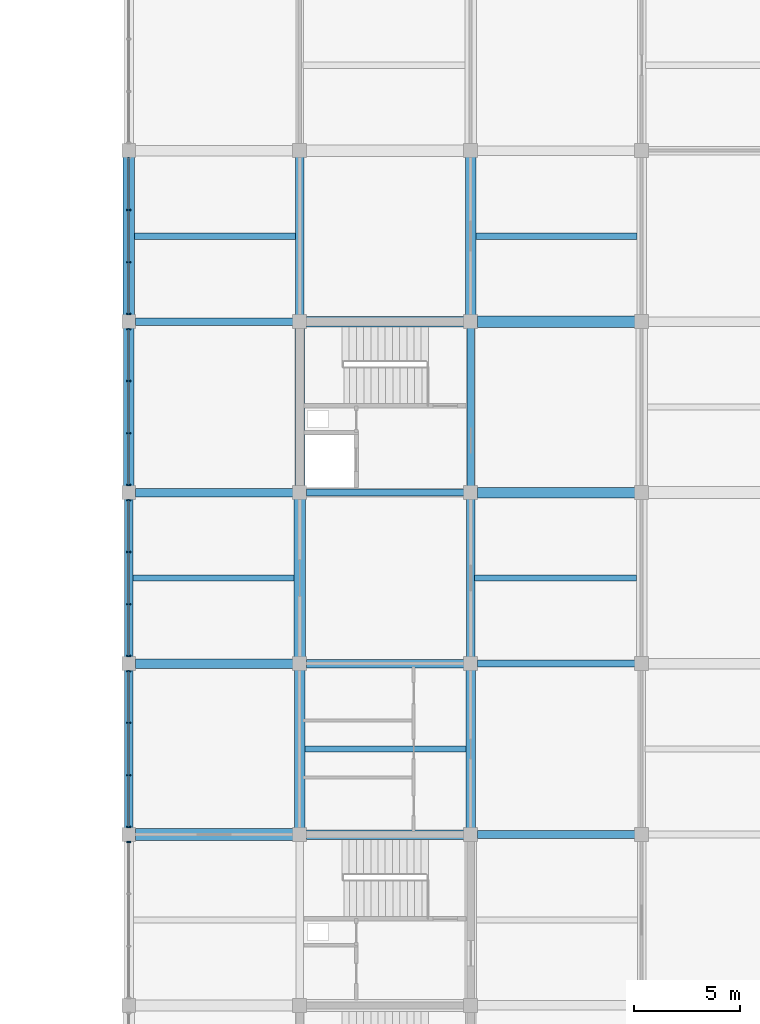
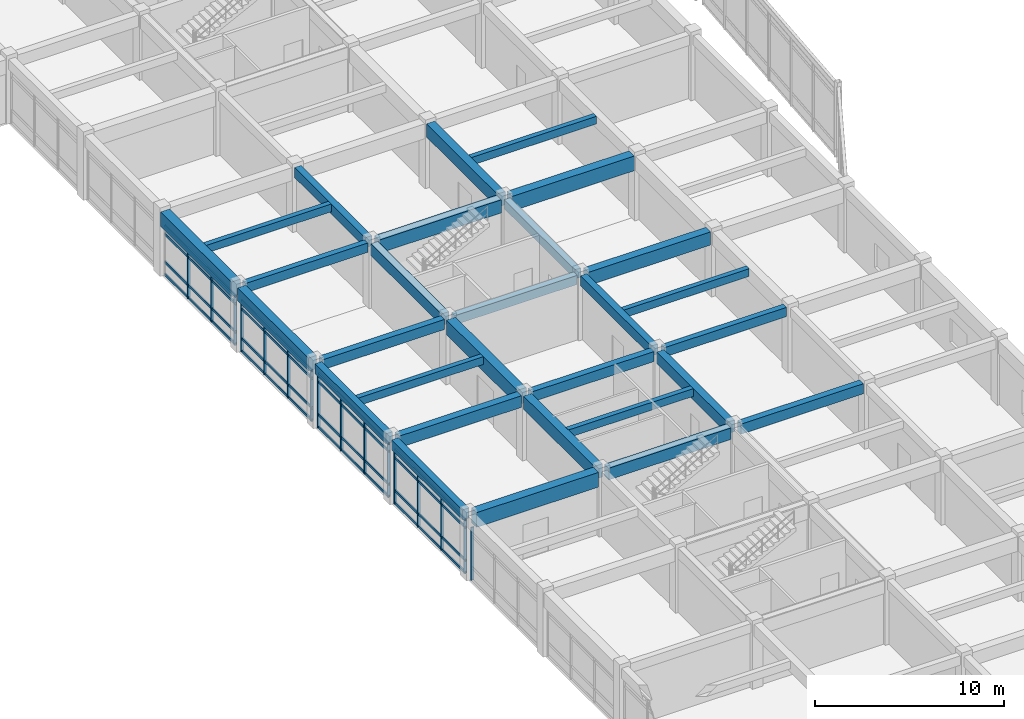
# One storey, part 15 of 40: 32 members, 29 beams, 5 elements without a shape of their own.
"""IFC4 building model written with IfcOpenShell, lengths in metres."""

from ifc_helpers import new_model, si_unit, direction, frame, origin, origin_2d, place, context, subcontext, project, spatial, rectangle, extrude, material, layer, layer_set, material_profile, profile_set, type_object, element, aggregate, save


model = new_model("IFC4")

# Units and contexts
model_context = context("Model", 3, precision=1e-05, world=origin(), true_north=direction((0.0, 1.0)))
body_context = subcontext(model_context, "Body", "Model", "MODEL_VIEW")
ifc_project = project(units=[si_unit("LENGTHUNIT", "METRE"), si_unit("AREAUNIT", "SQUARE_METRE"), si_unit("VOLUMEUNIT", "CUBIC_METRE"), si_unit("PLANEANGLEUNIT", "RADIAN"), si_unit("MASSUNIT", "GRAM", prefix="KILO")], contexts=[model_context])

# Site, building, storey
site_placement = place(None, origin())
site = spatial("IfcSite", under=ifc_project, at=site_placement, CompositionType="ELEMENT")
building_placement = place(site_placement, origin())
building = spatial("IfcBuilding", under=site, at=building_placement, Name="Vaudrelin Polytechnic", CompositionType="ELEMENT")
storey_placement = place(building_placement, frame((0.0, 0.0, 22.949951171875)))
storey = spatial("IfcBuildingStorey", under=building, at=storey_placement, Name="L05", CompositionType="ELEMENT", Elevation=22.949951171875)

# Beams
ifc_material_1 = material(Name="Concrete 40 MPa", Category="concrete")
ifc_material_profile_1 = material_profile(ifc_material_1, rectangle(XDim=0.35009765625, YDim=0.60009765625, at=origin_2d()), Name="RC350x600")
ifc_profile_set_1 = profile_set([ifc_material_profile_1], Name="Concrete 40 MPa")
beam_type_1 = type_object("IfcBeamType", Name="BM-BM-RC3560", PredefinedType="BEAM", material=ifc_profile_set_1)
beam_1_placement = place(storey_placement, frame((153.89990234375, 65.110107421875, 3.860107421875), z_axis=(0.0, 1.0, 0.0), x_axis=(-1.0, 0.0, 0.0)))
element("IfcBeam", 1, at=beam_1_placement, inside=storey, type_object=beam_type_1, Name="L05 Y-beam 20-9", PredefinedType="BEAM", context=body_context, shape_type="SweptSolid", body=[
    extrude(rectangle(XDim=0.35009765625, YDim=0.60009765625, at=origin_2d()), origin(), (0.0, 0.0, 1.0), 7.47998046875),
])
for number, where, z_axis, x_axis, name in (
    (2, (138.02099609375, 72.89990234375, 3.860107421875), (1.0, 0.0, 0.0), (0.0, 1.0, 0.0), "L05 X-beam 18-10"),
    (3, (146.12109375, 64.800048828125, 3.860107421875), (1.0, 0.0, 0.0), (0.0, 1.0, 0.0), "L05 X-beam 19-9"),
    (4, (154.220947265625, 56.699951171875, 3.860107421875), (1.0, 0.0, 0.0), (0.0, 1.0, 0.0), "L05 X-beam 20-8"),
):
    element("IfcBeam", number, at=place(storey_placement, frame(where, z_axis=z_axis, x_axis=x_axis)), inside=storey, type_object=beam_type_1, Name=name, PredefinedType="BEAM", context=body_context, shape_type="SweptSolid", body=[
        extrude(rectangle(XDim=0.35009765625, YDim=0.60009765625, at=origin_2d()), origin(), (0.0, 0.0, 1.0), 7.4580078125),
    ])
ifc_material_profile_2 = material_profile(ifc_material_1, rectangle(XDim=0.39990234375, YDim=0.64990234375, at=origin_2d()), Name="RC400x650")
ifc_profile_set_2 = profile_set([ifc_material_profile_2], Name="Concrete 40 MPa")
beam_type_2 = type_object("IfcBeamType", Name="BM-BM-RC4065", PredefinedType="BEAM", material=ifc_profile_set_2)
for number, where, z_axis, x_axis, name in (
    (5, (137.699951171875, 48.909912109375, 3.8349609375), (0.0, 1.0, 0.0), (-1.0, 0.0, 0.0), "L05 Y-beam 18-7"),
    (6, (145.800048828125, 73.2099609375, 3.8349609375), (0.0, 1.0, 0.0), (-1.0, 0.0, 0.0), "L05 Y-beam 19-10"),
    (7, (153.89990234375, 57.010009765625, 3.8349609375), (0.0, 1.0, 0.0), (-1.0, 0.0, 0.0), "L05 Y-beam 20-8"),
):
    element("IfcBeam", number, at=place(storey_placement, frame(where, z_axis=z_axis, x_axis=x_axis)), inside=storey, type_object=beam_type_2, Name=name, PredefinedType="BEAM", context=body_context, shape_type="SweptSolid", body=[
        extrude(rectangle(XDim=0.39990234375, YDim=0.64990234375, at=origin_2d()), origin(), (0.0, 0.0, 1.0), 7.47998046875),
    ])
for number, where, z_axis, x_axis, name in (
    (8, (138.02099609375, 64.800048828125, 3.8349609375), (1.0, 0.0, 0.0), (0.0, 1.0, 0.0), "L05 X-beam 18-9"),
    (9, (146.12109375, 56.699951171875, 3.8349609375), (1.0, 0.0, 0.0), (0.0, 1.0, 0.0), "L05 X-beam 19-8"),
    (10, (154.220947265625, 48.60009765625, 3.8349609375), (1.0, 0.0, 0.0), (0.0, 1.0, 0.0), "L05 X-beam 20-7"),
):
    element("IfcBeam", number, at=place(storey_placement, frame(where, z_axis=z_axis, x_axis=x_axis)), inside=storey, type_object=beam_type_2, Name=name, PredefinedType="BEAM", context=body_context, shape_type="SweptSolid", body=[
        extrude(rectangle(XDim=0.39990234375, YDim=0.64990234375, at=origin_2d()), origin(), (0.0, 0.0, 1.0), 7.4580078125),
    ])
ifc_material_profile_3 = material_profile(ifc_material_1, rectangle(XDim=0.449951171875, YDim=0.75, at=origin_2d()), Name="RC450x750")
ifc_profile_set_3 = profile_set([ifc_material_profile_3], Name="Concrete 40 MPa")
beam_type_3 = type_object("IfcBeamType", Name="BM-BM-RC4575", PredefinedType="BEAM", material=ifc_profile_set_3)
for number, where, z_axis, x_axis, name in (
    (11, (145.800048828125, 65.110107421875, 3.78515625), (0.0, 1.0, 0.0), (-1.0, 0.0, 0.0), "L05 Y-beam 19-9"),
    (12, (153.89990234375, 48.909912109375, 3.78515625), (0.0, 1.0, 0.0), (-1.0, 0.0, 0.0), "L05 Y-beam 20-7"),
):
    element("IfcBeam", number, at=place(storey_placement, frame(where, z_axis=z_axis, x_axis=x_axis)), inside=storey, type_object=beam_type_3, Name=name, PredefinedType="BEAM", context=body_context, shape_type="SweptSolid", body=[
        extrude(rectangle(XDim=0.449951171875, YDim=0.75, at=origin_2d()), origin(), (0.0, 0.0, 1.0), 7.47998046875),
    ])
for number, where, z_axis, x_axis, name in (
    (13, (138.02099609375, 56.699951171875, 3.78515625), (1.0, 0.0, 0.0), (0.0, 1.0, 0.0), "L05 X-beam 18-8"),
    (14, (146.12109375, 48.60009765625, 3.78515625), (1.0, 0.0, 0.0), (0.0, 1.0, 0.0), "L05 X-beam 19-7"),
):
    element("IfcBeam", number, at=place(storey_placement, frame(where, z_axis=z_axis, x_axis=x_axis)), inside=storey, type_object=beam_type_3, Name=name, PredefinedType="BEAM", context=body_context, shape_type="SweptSolid", body=[
        extrude(rectangle(XDim=0.449951171875, YDim=0.75, at=origin_2d()), origin(), (0.0, 0.0, 1.0), 7.4580078125),
    ])
ifc_material_profile_4 = material_profile(ifc_material_1, rectangle(XDim=0.5, YDim=0.85009765625, at=origin_2d()), Name="RC500x850")
ifc_profile_set_4 = profile_set([ifc_material_profile_4], Name="Concrete 40 MPa")
beam_type_4 = type_object("IfcBeamType", Name="BM-BM-RC5085", PredefinedType="BEAM", material=ifc_profile_set_4)
for number, where, z_axis, x_axis, name in (
    (15, (137.699951171875, 65.110107421875, 3.735107421875), (0.0, 1.0, 0.0), (-1.0, 0.0, 0.0), "L05 Y-beam 18-9"),
    (16, (145.800048828125, 48.909912109375, 3.735107421875), (0.0, 1.0, 0.0), (-1.0, 0.0, 0.0), "L05 Y-beam 19-7"),
    (17, (153.89990234375, 73.2099609375, 3.735107421875), (0.0, 1.0, 0.0), (-1.0, 0.0, 0.0), "L05 Y-beam 20-10"),
):
    element("IfcBeam", number, at=place(storey_placement, frame(where, z_axis=z_axis, x_axis=x_axis)), inside=storey, type_object=beam_type_4, Name=name, PredefinedType="BEAM", context=body_context, shape_type="SweptSolid", body=[
        extrude(rectangle(XDim=0.5, YDim=0.85009765625, at=origin_2d()), origin(), (0.0, 0.0, 1.0), 7.47998046875),
    ])
for number, where, z_axis, x_axis, name in (
    (18, (146.12109375, 72.89990234375, 3.735107421875), (1.0, 0.0, 0.0), (0.0, 1.0, 0.0), "L05 X-beam 19-10"),
    (19, (154.220947265625, 64.800048828125, 3.735107421875), (1.0, 0.0, 0.0), (0.0, 1.0, 0.0), "L05 X-beam 20-9"),
):
    element("IfcBeam", number, at=place(storey_placement, frame(where, z_axis=z_axis, x_axis=x_axis)), inside=storey, type_object=beam_type_4, Name=name, PredefinedType="BEAM", context=body_context, shape_type="SweptSolid", body=[
        extrude(rectangle(XDim=0.5, YDim=0.85009765625, at=origin_2d()), origin(), (0.0, 0.0, 1.0), 7.4580078125),
    ])
ifc_material_2 = material(Name="Concrete 50 MPa", Category="concrete")
ifc_material_profile_5 = material_profile(ifc_material_2, rectangle(XDim=0.550048828125, YDim=0.949951171875, at=origin_2d()), Name="RC550x950")
ifc_profile_set_5 = profile_set([ifc_material_profile_5], Name="Concrete 50 MPa")
beam_type_5 = type_object("IfcBeamType", Name="BM-BM-RC5595", PredefinedType="BEAM", material=ifc_profile_set_5)
for number, where, z_axis, x_axis, name in (
    (20, (137.699951171875, 73.2099609375, 3.68505859375), (0.0, 1.0, 0.0), (-1.0, 0.0, 0.0), "L05 Y-beam 18-10"),
    (21, (145.800048828125, 57.010009765625, 3.68505859375), (0.0, 1.0, 0.0), (-1.0, 0.0, 0.0), "L05 Y-beam 19-8"),
):
    element("IfcBeam", number, at=place(storey_placement, frame(where, z_axis=z_axis, x_axis=x_axis)), inside=storey, type_object=beam_type_5, Name=name, PredefinedType="BEAM", context=body_context, shape_type="SweptSolid", body=[
        extrude(rectangle(XDim=0.550048828125, YDim=0.949951171875, at=origin_2d()), origin(), (0.0, 0.0, 1.0), 7.47998046875),
    ])
for number, where, z_axis, x_axis, name in (
    (22, (138.02099609375, 48.60009765625, 3.68505859375), (1.0, 0.0, 0.0), (0.0, 1.0, 0.0), "L05 X-beam 18-7"),
    (23, (154.220947265625, 72.89990234375, 3.68505859375), (1.0, 0.0, 0.0), (0.0, 1.0, 0.0), "L05 X-beam 20-10"),
):
    element("IfcBeam", number, at=place(storey_placement, frame(where, z_axis=z_axis, x_axis=x_axis)), inside=storey, type_object=beam_type_5, Name=name, PredefinedType="BEAM", context=body_context, shape_type="SweptSolid", body=[
        extrude(rectangle(XDim=0.550048828125, YDim=0.949951171875, at=origin_2d()), origin(), (0.0, 0.0, 1.0), 7.4580078125),
    ])
ifc_material_profile_6 = material_profile(ifc_material_1, rectangle(XDim=0.300048828125, YDim=0.5, at=origin_2d()), Name="RC300x500")
ifc_profile_set_6 = profile_set([ifc_material_profile_6], Name="Concrete 40 MPa")
beam_type_6 = type_object("IfcBeamType", Name="BM-JS-RC3050", PredefinedType="JOIST", material=ifc_profile_set_6)
for number, where, z_axis, x_axis, name in (
    (24, (137.89599609375, 60.75, 3.91015625), (1.0, 0.0, 0.0), (0.0, 1.0, 0.0), "L05 floor joist 18-8"),
    (25, (137.970947265625, 76.949951171875, 3.91015625), (1.0, 0.0, 0.0), (0.0, 1.0, 0.0), "L05 floor joist 18-10"),
    (26, (146.0458984375, 52.64990234375, 3.91015625), (1.0, 0.0, 0.0), (0.0, 1.0, 0.0), "L05 floor joist 19-7"),
):
    element("IfcBeam", number, at=place(storey_placement, frame(where, z_axis=z_axis, x_axis=x_axis)), inside=storey, type_object=beam_type_6, Name=name, PredefinedType="JOIST", context=body_context, shape_type="SweptSolid", body=[
        extrude(rectangle(XDim=0.300048828125, YDim=0.5, at=origin_2d()), origin(), (0.0, 0.0, 1.0), 7.633056640625),
    ])
beam_2_placement = place(storey_placement, frame((154.095947265625, 60.75, 3.91015625), z_axis=(1.0, 0.0, 0.0), x_axis=(0.0, 1.0, 0.0)))
element("IfcBeam", 27, at=beam_2_placement, inside=storey, type_object=beam_type_6, Name="L05 floor joist 20-8", PredefinedType="JOIST", context=body_context, shape_type="SweptSolid", body=[
    extrude(rectangle(XDim=0.300048828125, YDim=0.5, at=origin_2d()), origin(), (0.0, 0.0, 1.0), 7.657958984375),
])
beam_3_placement = place(storey_placement, frame((154.14599609375, 76.949951171875, 3.91015625), z_axis=(1.0, 0.0, 0.0), x_axis=(0.0, 1.0, 0.0)))
element("IfcBeam", 28, at=beam_3_placement, inside=storey, type_object=beam_type_6, Name="L05 floor joist 20-10", PredefinedType="JOIST", context=body_context, shape_type="SweptSolid", body=[
    extrude(rectangle(XDim=0.300048828125, YDim=0.5, at=origin_2d()), origin(), (0.0, 0.0, 1.0), 7.633056640625),
])
ifc_material_profile_7 = material_profile(ifc_material_1, rectangle(XDim=0.39990234375, YDim=0.64990234375, at=origin_2d()), Name="RC400x650")
ifc_profile_set_7 = profile_set([ifc_material_profile_7], Name="Concrete 40 MPa")
beam_type_7 = type_object("IfcBeamType", Name="BM-SP-RC4065", PredefinedType="SPANDREL", material=ifc_profile_set_7)
beam_4_placement = place(storey_placement, frame((137.699951171875, 57.010009765625, 3.8349609375), z_axis=(0.0, 1.0, 0.0), x_axis=(-1.0, 0.0, 0.0)))
element("IfcBeam", 29, at=beam_4_placement, inside=storey, type_object=beam_type_7, Name="L05 Y-beam 18-8", PredefinedType="SPANDREL", context=body_context, shape_type="SweptSolid", body=[
    extrude(rectangle(XDim=0.39990234375, YDim=0.64990234375, at=origin_2d()), origin(), (0.0, 0.0, 1.0), 7.47998046875),
])

# Curtain wall, member
ifc_material_3 = material(Name="Thermally broken anodised aluminium AA 6063-T6 and low-e triple glazing", Category="aluminium")
ifc_layer = layer(ifc_material_3, 0.199951171875)
ifc_layer_set = layer_set([ifc_layer], Name="Thermally broken anodised aluminium AA 6063-T6 and low-e triple glazing")
curtain_wall_type = type_object("IfcCurtainWallType", Name="CW-CW-LAB", PredefinedType="USERDEFINED", material=ifc_layer_set)
curtain_wall_1_placement = place(storey_placement, origin())
curtain_wall_1 = element("IfcCurtainWall", 30, at=curtain_wall_1_placement, inside=storey, type_object=curtain_wall_type, Name="Curtain wall L05 W_V4_03", ObjectType="CURTAIN WALL", PredefinedType="USERDEFINED")
ifc_material_4 = material(Name="Anodised aluminium AA 6063-T6", Category="aluminium")
ifc_material_profile_8 = material_profile(ifc_material_4, rectangle(XDim=0.06494140625, YDim=0.179931640625, at=origin_2d()), Name="CWM-65x180")
ifc_profile_set_8 = profile_set([ifc_material_profile_8], Name="Anodised aluminium AA 6063-T6")
member_type_1 = type_object("IfcMemberType", Name="MEM-CWM-180", PredefinedType="MULLION", material=ifc_profile_set_8)
member_1_placement = place(storey_placement, frame((137.699951171875, 48.237060546875, 0.0), z_axis=(0.0, 0.0, 1.0), x_axis=(0.0, 1.0, 0.0)))
member_1 = element("IfcMember", 31, at=member_1_placement, type_object=member_type_1, Name="W_V4_03 mullion 4", PredefinedType="MULLION", context=body_context, shape_type="SweptSolid", body=[
    extrude(rectangle(XDim=0.06494140625, YDim=0.179931640625, at=origin_2d()), origin(), (0.0, 0.0, 1.0), 3.412109375),
])
aggregate(curtain_wall_1, [member_1])

# Curtain wall, members
curtain_wall_2_placement = place(storey_placement, origin())
curtain_wall_2 = element("IfcCurtainWall", 32, at=curtain_wall_2_placement, inside=storey, type_object=curtain_wall_type, Name="Curtain wall L05 W_V4_04", ObjectType="CURTAIN WALL", PredefinedType="USERDEFINED")
member_2_placement = place(storey_placement, frame((137.699951171875, 48.962890625, 0.0), z_axis=(0.0, 0.0, 1.0), x_axis=(0.0, 1.0, 0.0)))
member_2 = element("IfcMember", 33, at=member_2_placement, type_object=member_type_1, Name="W_V4_04 mullion 1", PredefinedType="MULLION", context=body_context, shape_type="SweptSolid", body=[
    extrude(rectangle(XDim=0.06494140625, YDim=0.179931640625, at=origin_2d()), origin(), (0.0, 0.0, 1.0), 3.511962890625),
])
member_3_placement = place(storey_placement, frame((137.699951171875, 51.40771484375, 0.0), z_axis=(0.0, 0.0, 1.0), x_axis=(0.0, 1.0, 0.0)))
member_3 = element("IfcMember", 34, at=member_3_placement, type_object=member_type_1, Name="W_V4_04 mullion 2", PredefinedType="MULLION", context=body_context, shape_type="SweptSolid", body=[
    extrude(rectangle(XDim=0.06494140625, YDim=0.179931640625, at=origin_2d()), origin(), (0.0, 0.0, 1.0), 3.511962890625),
])
member_4_placement = place(storey_placement, frame((137.699951171875, 53.892333984375, 0.0), z_axis=(0.0, 0.0, 1.0), x_axis=(0.0, 1.0, 0.0)))
member_4 = element("IfcMember", 35, at=member_4_placement, type_object=member_type_1, Name="W_V4_04 mullion 3", PredefinedType="MULLION", context=body_context, shape_type="SweptSolid", body=[
    extrude(rectangle(XDim=0.06494140625, YDim=0.179931640625, at=origin_2d()), origin(), (0.0, 0.0, 1.0), 3.511962890625),
])
member_5_placement = place(storey_placement, frame((137.699951171875, 56.3369140625, 0.0), z_axis=(0.0, 0.0, 1.0), x_axis=(0.0, 1.0, 0.0)))
member_5 = element("IfcMember", 36, at=member_5_placement, type_object=member_type_1, Name="W_V4_04 mullion 4", PredefinedType="MULLION", context=body_context, shape_type="SweptSolid", body=[
    extrude(rectangle(XDim=0.06494140625, YDim=0.179931640625, at=origin_2d()), origin(), (0.0, 0.0, 1.0), 3.511962890625),
])

curtain_wall_3_placement = place(storey_placement, origin())
curtain_wall_3 = element("IfcCurtainWall", 37, at=curtain_wall_3_placement, inside=storey, type_object=curtain_wall_type, Name="Curtain wall L05 W_V4_05", ObjectType="CURTAIN WALL", PredefinedType="USERDEFINED")
member_6_placement = place(storey_placement, frame((137.699951171875, 57.06298828125, 0.0), z_axis=(0.0, 0.0, 1.0), x_axis=(0.0, 1.0, 0.0)))
member_6 = element("IfcMember", 38, at=member_6_placement, type_object=member_type_1, Name="W_V4_05 mullion 1", PredefinedType="MULLION", context=body_context, shape_type="SweptSolid", body=[
    extrude(rectangle(XDim=0.06494140625, YDim=0.179931640625, at=origin_2d()), origin(), (0.0, 0.0, 1.0), 3.511962890625),
])
member_7_placement = place(storey_placement, frame((137.699951171875, 59.5078125, 0.0), z_axis=(0.0, 0.0, 1.0), x_axis=(0.0, 1.0, 0.0)))
member_7 = element("IfcMember", 39, at=member_7_placement, type_object=member_type_1, Name="W_V4_05 mullion 2", PredefinedType="MULLION", context=body_context, shape_type="SweptSolid", body=[
    extrude(rectangle(XDim=0.06494140625, YDim=0.179931640625, at=origin_2d()), origin(), (0.0, 0.0, 1.0), 3.511962890625),
])
member_8_placement = place(storey_placement, frame((137.699951171875, 61.9921875, 0.0), z_axis=(0.0, 0.0, 1.0), x_axis=(0.0, 1.0, 0.0)))
member_8 = element("IfcMember", 40, at=member_8_placement, type_object=member_type_1, Name="W_V4_05 mullion 3", PredefinedType="MULLION", context=body_context, shape_type="SweptSolid", body=[
    extrude(rectangle(XDim=0.06494140625, YDim=0.179931640625, at=origin_2d()), origin(), (0.0, 0.0, 1.0), 3.511962890625),
])
member_9_placement = place(storey_placement, frame((137.699951171875, 64.43701171875, 0.0), z_axis=(0.0, 0.0, 1.0), x_axis=(0.0, 1.0, 0.0)))
member_9 = element("IfcMember", 41, at=member_9_placement, type_object=member_type_1, Name="W_V4_05 mullion 4", PredefinedType="MULLION", context=body_context, shape_type="SweptSolid", body=[
    extrude(rectangle(XDim=0.06494140625, YDim=0.179931640625, at=origin_2d()), origin(), (0.0, 0.0, 1.0), 3.511962890625),
])

curtain_wall_4_placement = place(storey_placement, origin())
curtain_wall_4 = element("IfcCurtainWall", 42, at=curtain_wall_4_placement, inside=storey, type_object=curtain_wall_type, Name="Curtain wall L05 W_V4_06", ObjectType="CURTAIN WALL", PredefinedType="USERDEFINED")
member_10_placement = place(storey_placement, frame((137.699951171875, 65.1630859375, 0.0), z_axis=(0.0, 0.0, 1.0), x_axis=(0.0, 1.0, 0.0)))
member_10 = element("IfcMember", 43, at=member_10_placement, type_object=member_type_1, Name="W_V4_06 mullion 1", PredefinedType="MULLION", context=body_context, shape_type="SweptSolid", body=[
    extrude(rectangle(XDim=0.06494140625, YDim=0.179931640625, at=origin_2d()), origin(), (0.0, 0.0, 1.0), 3.31201171875),
])
member_11_placement = place(storey_placement, frame((137.699951171875, 67.607666015625, 0.0), z_axis=(0.0, 0.0, 1.0), x_axis=(0.0, 1.0, 0.0)))
member_11 = element("IfcMember", 44, at=member_11_placement, type_object=member_type_1, Name="W_V4_06 mullion 2", PredefinedType="MULLION", context=body_context, shape_type="SweptSolid", body=[
    extrude(rectangle(XDim=0.06494140625, YDim=0.179931640625, at=origin_2d()), origin(), (0.0, 0.0, 1.0), 3.31201171875),
])
member_12_placement = place(storey_placement, frame((137.699951171875, 70.09228515625, 0.0), z_axis=(0.0, 0.0, 1.0), x_axis=(0.0, 1.0, 0.0)))
member_12 = element("IfcMember", 45, at=member_12_placement, type_object=member_type_1, Name="W_V4_06 mullion 3", PredefinedType="MULLION", context=body_context, shape_type="SweptSolid", body=[
    extrude(rectangle(XDim=0.06494140625, YDim=0.179931640625, at=origin_2d()), origin(), (0.0, 0.0, 1.0), 3.31201171875),
])
member_13_placement = place(storey_placement, frame((137.699951171875, 72.537109375, 0.0), z_axis=(0.0, 0.0, 1.0), x_axis=(0.0, 1.0, 0.0)))
member_13 = element("IfcMember", 46, at=member_13_placement, type_object=member_type_1, Name="W_V4_06 mullion 4", PredefinedType="MULLION", context=body_context, shape_type="SweptSolid", body=[
    extrude(rectangle(XDim=0.06494140625, YDim=0.179931640625, at=origin_2d()), origin(), (0.0, 0.0, 1.0), 3.31201171875),
])

curtain_wall_5_placement = place(storey_placement, origin())
curtain_wall_5 = element("IfcCurtainWall", 47, at=curtain_wall_5_placement, inside=storey, type_object=curtain_wall_type, Name="Curtain wall L05 W_V4_07", ObjectType="CURTAIN WALL", PredefinedType="USERDEFINED")
member_14_placement = place(storey_placement, frame((137.699951171875, 73.262939453125, 0.0), z_axis=(0.0, 0.0, 1.0), x_axis=(0.0, 1.0, 0.0)))
member_14 = element("IfcMember", 48, at=member_14_placement, type_object=member_type_1, Name="W_V4_07 mullion 1", PredefinedType="MULLION", context=body_context, shape_type="SweptSolid", body=[
    extrude(rectangle(XDim=0.06494140625, YDim=0.179931640625, at=origin_2d()), origin(), (0.0, 0.0, 1.0), 3.212158203125),
])
member_15_placement = place(storey_placement, frame((137.699951171875, 75.707763671875, 0.0), z_axis=(0.0, 0.0, 1.0), x_axis=(0.0, 1.0, 0.0)))
member_15 = element("IfcMember", 49, at=member_15_placement, type_object=member_type_1, Name="W_V4_07 mullion 2", PredefinedType="MULLION", context=body_context, shape_type="SweptSolid", body=[
    extrude(rectangle(XDim=0.06494140625, YDim=0.179931640625, at=origin_2d()), origin(), (0.0, 0.0, 1.0), 3.212158203125),
])
member_16_placement = place(storey_placement, frame((137.699951171875, 78.1923828125, 0.0), z_axis=(0.0, 0.0, 1.0), x_axis=(0.0, 1.0, 0.0)))
member_16 = element("IfcMember", 50, at=member_16_placement, type_object=member_type_1, Name="W_V4_07 mullion 3", PredefinedType="MULLION", context=body_context, shape_type="SweptSolid", body=[
    extrude(rectangle(XDim=0.06494140625, YDim=0.179931640625, at=origin_2d()), origin(), (0.0, 0.0, 1.0), 3.212158203125),
])

# Member
ifc_material_profile_9 = material_profile(ifc_material_4, rectangle(XDim=0.074951171875, YDim=0.1650390625, at=origin_2d()), Name="CWT-75x165")
ifc_profile_set_9 = profile_set([ifc_material_profile_9], Name="Anodised aluminium AA 6063-T6")
member_type_2 = type_object("IfcMemberType", Name="MEM-CWT-165", PredefinedType="USERDEFINED", material=ifc_profile_set_9)
member_17_placement = place(storey_placement, frame((137.699951171875, 48.923095703125, 0.050048828125), z_axis=(0.0, 1.0, 0.0), x_axis=(-1.0, 0.0, 0.0)))
member_17 = element("IfcMember", 51, at=member_17_placement, type_object=member_type_2, Name="W_V4_04 transom 1", ObjectType="TRANSOM", PredefinedType="USERDEFINED", context=body_context, shape_type="SweptSolid", body=[
    extrude(rectangle(XDim=0.074951171875, YDim=0.1650390625, at=origin_2d()), origin(), (0.0, 0.0, 1.0), 7.453857421875),
])

member_18_placement = place(storey_placement, frame((137.699951171875, 48.923095703125, 0.85009765625), z_axis=(0.0, 1.0, 0.0), x_axis=(-1.0, 0.0, 0.0)))
member_18 = element("IfcMember", 52, at=member_18_placement, type_object=member_type_2, Name="W_V4_04 transom 2", ObjectType="TRANSOM", PredefinedType="USERDEFINED", context=body_context, shape_type="SweptSolid", body=[
    extrude(rectangle(XDim=0.074951171875, YDim=0.1650390625, at=origin_2d()), origin(), (0.0, 0.0, 1.0), 7.453857421875),
])

member_19_placement = place(storey_placement, frame((137.699951171875, 48.923095703125, 2.962158203125), z_axis=(0.0, 1.0, 0.0), x_axis=(-1.0, 0.0, 0.0)))
member_19 = element("IfcMember", 53, at=member_19_placement, type_object=member_type_2, Name="W_V4_04 transom 3", ObjectType="TRANSOM", PredefinedType="USERDEFINED", context=body_context, shape_type="SweptSolid", body=[
    extrude(rectangle(XDim=0.074951171875, YDim=0.1650390625, at=origin_2d()), origin(), (0.0, 0.0, 1.0), 7.453857421875),
])

member_20_placement = place(storey_placement, frame((137.699951171875, 48.923095703125, 3.462158203125), z_axis=(0.0, 1.0, 0.0), x_axis=(-1.0, 0.0, 0.0)))
member_20 = element("IfcMember", 54, at=member_20_placement, type_object=member_type_2, Name="W_V4_04 transom 4", ObjectType="TRANSOM", PredefinedType="USERDEFINED", context=body_context, shape_type="SweptSolid", body=[
    extrude(rectangle(XDim=0.074951171875, YDim=0.1650390625, at=origin_2d()), origin(), (0.0, 0.0, 1.0), 7.453857421875),
])

aggregate(curtain_wall_2, [member_2, member_3, member_4, member_5, member_17, member_18, member_19, member_20])

member_21_placement = place(storey_placement, frame((137.699951171875, 57.02294921875, 0.050048828125), z_axis=(0.0, 1.0, 0.0), x_axis=(-1.0, 0.0, 0.0)))
member_21 = element("IfcMember", 55, at=member_21_placement, type_object=member_type_2, Name="W_V4_05 transom 1", ObjectType="TRANSOM", PredefinedType="USERDEFINED", context=body_context, shape_type="SweptSolid", body=[
    extrude(rectangle(XDim=0.074951171875, YDim=0.1650390625, at=origin_2d()), origin(), (0.0, 0.0, 1.0), 7.4541015625),
])

member_22_placement = place(storey_placement, frame((137.699951171875, 57.02294921875, 0.85009765625), z_axis=(0.0, 1.0, 0.0), x_axis=(-1.0, 0.0, 0.0)))
member_22 = element("IfcMember", 56, at=member_22_placement, type_object=member_type_2, Name="W_V4_05 transom 2", ObjectType="TRANSOM", PredefinedType="USERDEFINED", context=body_context, shape_type="SweptSolid", body=[
    extrude(rectangle(XDim=0.074951171875, YDim=0.1650390625, at=origin_2d()), origin(), (0.0, 0.0, 1.0), 7.4541015625),
])

member_23_placement = place(storey_placement, frame((137.699951171875, 57.02294921875, 2.962158203125), z_axis=(0.0, 1.0, 0.0), x_axis=(-1.0, 0.0, 0.0)))
member_23 = element("IfcMember", 57, at=member_23_placement, type_object=member_type_2, Name="W_V4_05 transom 3", ObjectType="TRANSOM", PredefinedType="USERDEFINED", context=body_context, shape_type="SweptSolid", body=[
    extrude(rectangle(XDim=0.074951171875, YDim=0.1650390625, at=origin_2d()), origin(), (0.0, 0.0, 1.0), 7.4541015625),
])

member_24_placement = place(storey_placement, frame((137.699951171875, 57.02294921875, 3.462158203125), z_axis=(0.0, 1.0, 0.0), x_axis=(-1.0, 0.0, 0.0)))
member_24 = element("IfcMember", 58, at=member_24_placement, type_object=member_type_2, Name="W_V4_05 transom 4", ObjectType="TRANSOM", PredefinedType="USERDEFINED", context=body_context, shape_type="SweptSolid", body=[
    extrude(rectangle(XDim=0.074951171875, YDim=0.1650390625, at=origin_2d()), origin(), (0.0, 0.0, 1.0), 7.4541015625),
])

aggregate(curtain_wall_3, [member_6, member_7, member_8, member_9, member_21, member_22, member_23, member_24])

member_25_placement = place(storey_placement, frame((137.699951171875, 65.123046875, 0.050048828125), z_axis=(0.0, 1.0, 0.0), x_axis=(-1.0, 0.0, 0.0)))
member_25 = element("IfcMember", 59, at=member_25_placement, type_object=member_type_2, Name="W_V4_06 transom 1", ObjectType="TRANSOM", PredefinedType="USERDEFINED", context=body_context, shape_type="SweptSolid", body=[
    extrude(rectangle(XDim=0.074951171875, YDim=0.1650390625, at=origin_2d()), origin(), (0.0, 0.0, 1.0), 7.453857421875),
])

member_26_placement = place(storey_placement, frame((137.699951171875, 65.123046875, 0.85009765625), z_axis=(0.0, 1.0, 0.0), x_axis=(-1.0, 0.0, 0.0)))
member_26 = element("IfcMember", 60, at=member_26_placement, type_object=member_type_2, Name="W_V4_06 transom 2", ObjectType="TRANSOM", PredefinedType="USERDEFINED", context=body_context, shape_type="SweptSolid", body=[
    extrude(rectangle(XDim=0.074951171875, YDim=0.1650390625, at=origin_2d()), origin(), (0.0, 0.0, 1.0), 7.453857421875),
])

member_27_placement = place(storey_placement, frame((137.699951171875, 65.123046875, 2.761962890625), z_axis=(0.0, 1.0, 0.0), x_axis=(-1.0, 0.0, 0.0)))
member_27 = element("IfcMember", 61, at=member_27_placement, type_object=member_type_2, Name="W_V4_06 transom 3", ObjectType="TRANSOM", PredefinedType="USERDEFINED", context=body_context, shape_type="SweptSolid", body=[
    extrude(rectangle(XDim=0.074951171875, YDim=0.1650390625, at=origin_2d()), origin(), (0.0, 0.0, 1.0), 7.453857421875),
])

member_28_placement = place(storey_placement, frame((137.699951171875, 65.123046875, 3.261962890625), z_axis=(0.0, 1.0, 0.0), x_axis=(-1.0, 0.0, 0.0)))
member_28 = element("IfcMember", 62, at=member_28_placement, type_object=member_type_2, Name="W_V4_06 transom 4", ObjectType="TRANSOM", PredefinedType="USERDEFINED", context=body_context, shape_type="SweptSolid", body=[
    extrude(rectangle(XDim=0.074951171875, YDim=0.1650390625, at=origin_2d()), origin(), (0.0, 0.0, 1.0), 7.453857421875),
])

aggregate(curtain_wall_4, [member_10, member_11, member_12, member_13, member_25, member_26, member_27, member_28])

member_29_placement = place(storey_placement, frame((137.699951171875, 73.222900390625, 0.050048828125), z_axis=(0.0, 1.0, 0.0), x_axis=(-1.0, 0.0, 0.0)))
member_29 = element("IfcMember", 63, at=member_29_placement, type_object=member_type_2, Name="W_V4_07 transom 1", ObjectType="TRANSOM", PredefinedType="USERDEFINED", context=body_context, shape_type="SweptSolid", body=[
    extrude(rectangle(XDim=0.074951171875, YDim=0.1650390625, at=origin_2d()), origin(), (0.0, 0.0, 1.0), 7.4541015625),
])

member_30_placement = place(storey_placement, frame((137.699951171875, 73.222900390625, 0.85009765625), z_axis=(0.0, 1.0, 0.0), x_axis=(-1.0, 0.0, 0.0)))
member_30 = element("IfcMember", 64, at=member_30_placement, type_object=member_type_2, Name="W_V4_07 transom 2", ObjectType="TRANSOM", PredefinedType="USERDEFINED", context=body_context, shape_type="SweptSolid", body=[
    extrude(rectangle(XDim=0.074951171875, YDim=0.1650390625, at=origin_2d()), origin(), (0.0, 0.0, 1.0), 7.4541015625),
])

member_31_placement = place(storey_placement, frame((137.699951171875, 73.222900390625, 2.662109375), z_axis=(0.0, 1.0, 0.0), x_axis=(-1.0, 0.0, 0.0)))
member_31 = element("IfcMember", 65, at=member_31_placement, type_object=member_type_2, Name="W_V4_07 transom 3", ObjectType="TRANSOM", PredefinedType="USERDEFINED", context=body_context, shape_type="SweptSolid", body=[
    extrude(rectangle(XDim=0.074951171875, YDim=0.1650390625, at=origin_2d()), origin(), (0.0, 0.0, 1.0), 7.4541015625),
])

member_32_placement = place(storey_placement, frame((137.699951171875, 73.222900390625, 3.162109375), z_axis=(0.0, 1.0, 0.0), x_axis=(-1.0, 0.0, 0.0)))
member_32 = element("IfcMember", 66, at=member_32_placement, type_object=member_type_2, Name="W_V4_07 transom 4", ObjectType="TRANSOM", PredefinedType="USERDEFINED", context=body_context, shape_type="SweptSolid", body=[
    extrude(rectangle(XDim=0.074951171875, YDim=0.1650390625, at=origin_2d()), origin(), (0.0, 0.0, 1.0), 7.4541015625),
])

aggregate(curtain_wall_5, [member_14, member_15, member_16, member_29, member_30, member_31, member_32])

save(model, "model.ifc")
